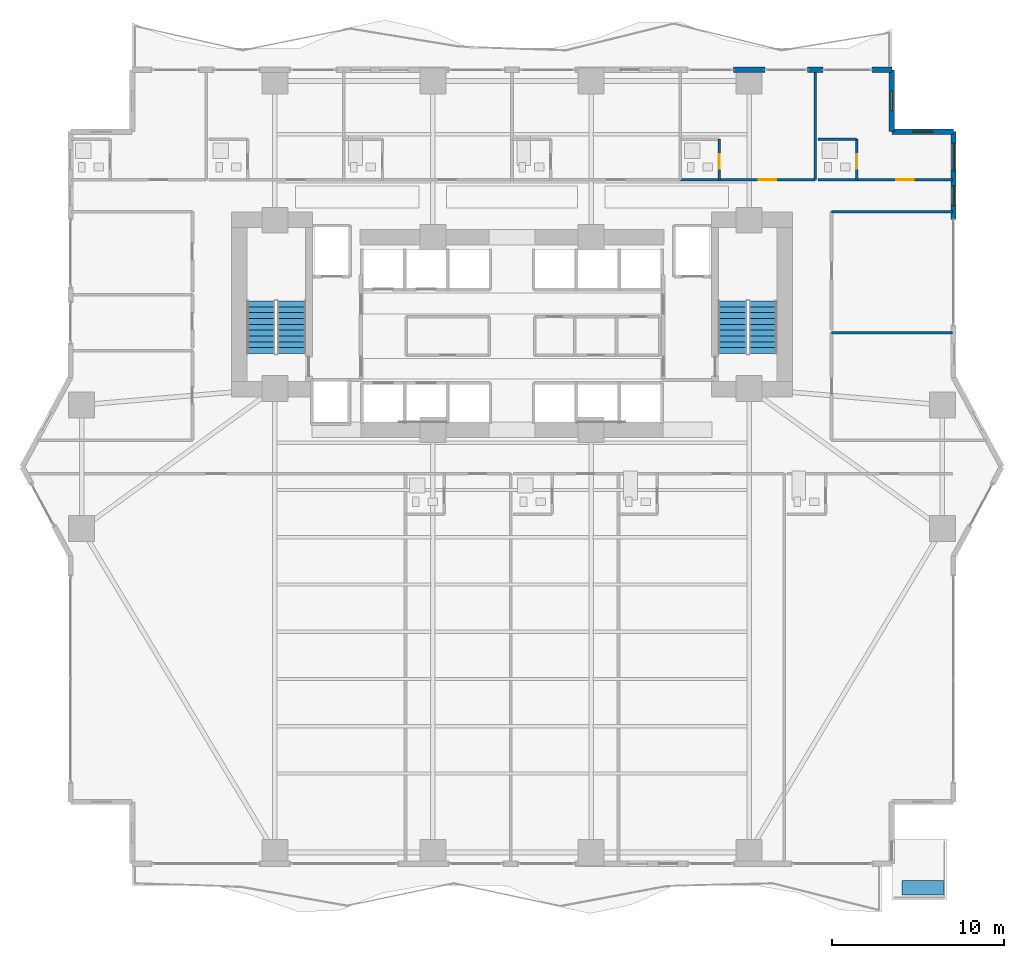
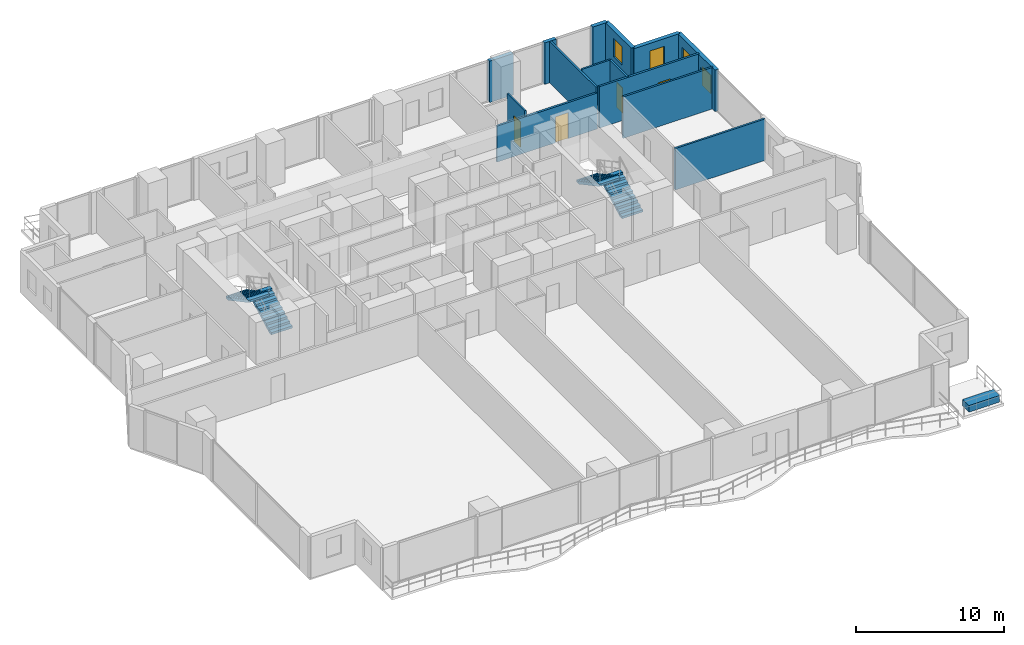
# One storey, part 23 of 30: 14 walls, 4 doors, 4 stair flights, 4 windows, 1 building element part, 8 openings, 2 elements without a shape of their own.
"""IFC4 building model written with IfcOpenShell, lengths in metres."""

from ifc_helpers import new_model, si_unit, direction, frame, frame_2d, origin, origin_2d, place, context, subcontext, project, spatial, polyline, rectangle, outline, extrude, material, layer, layer_set, type_object, element, fill, aggregate, save


model = new_model("IFC4")

# Units and contexts
model_context = context("Model", 3, precision=1e-05, world=origin(), true_north=direction((0.0, 1.0)))
body_context = subcontext(model_context, "Body", "Model", "MODEL_VIEW")
ifc_project = project(units=[si_unit("LENGTHUNIT", "METRE"), si_unit("AREAUNIT", "SQUARE_METRE"), si_unit("VOLUMEUNIT", "CUBIC_METRE"), si_unit("PLANEANGLEUNIT", "RADIAN"), si_unit("MASSUNIT", "GRAM", prefix="KILO")], contexts=[model_context])

# Site, building, storey
site_placement = place(None, origin())
site = spatial("IfcSite", under=ifc_project, at=site_placement, CompositionType="ELEMENT")
building_placement = place(site_placement, origin())
building = spatial("IfcBuilding", under=site, at=building_placement, Name="Zuhayl Quay Hotel", CompositionType="ELEMENT")
storey_placement = place(building_placement, frame((0.0, 0.0, 82.35009765625)))
storey = spatial("IfcBuildingStorey", under=building, at=storey_placement, Name="L20", CompositionType="ELEMENT", Elevation=82.35009765625)

# Walls
ifc_material_1 = material(Name="Precast concrete C45/55", Category="concrete")
ifc_layer_1 = layer(ifc_material_1, 0.300048828125, Name="Precast concrete C45/55", Category="concrete")
ifc_layer_set_1 = layer_set([ifc_layer_1], Name="Precast concrete C45/55")
wall_type_1 = type_object("IfcWallType", Name="WL_EXT_300", PredefinedType="STANDARD", material=ifc_layer_set_1)
wall_1_placement = place(storey_placement, frame((12.8798828125, 23.10009765625, 0.0), z_axis=(0.0, 0.0, 1.0), x_axis=(1.0, 0.0, 0.0)))
element("IfcWall", 1, at=wall_1_placement, inside=storey, type_object=wall_type_1, Name="L20 Exterior Precast Wall ENV_L20_N_EW7", PredefinedType="STANDARD", context=body_context, shape_type="SweptSolid", body=[
    extrude(rectangle(XDim=1.840087890625, YDim=0.300048828125, at=frame_2d((0.919921875, 0.0))), origin(), (0.0, 0.0, 1.0), 3.429931640625),
])
wall_2_placement = place(storey_placement, frame((17.18994140625, 23.10009765625, 0.0), z_axis=(0.0, 0.0, 1.0), x_axis=(1.0, 0.0, 0.0)))
element("IfcWall", 2, at=wall_2_placement, inside=storey, type_object=wall_type_1, Name="L20 Exterior Precast Wall ENV_L20_N_EW8", PredefinedType="STANDARD", context=body_context, shape_type="SweptSolid", body=[
    extrude(rectangle(XDim=0.900146484375, YDim=0.300048828125, at=frame_2d((0.4501953125, 0.0))), origin(), (0.0, 0.0, 1.0), 3.429931640625),
])
wall_3_placement = place(storey_placement, frame((20.949951171875, 23.10009765625, 0.0), z_axis=(0.0, 0.0, 1.0), x_axis=(1.0, 0.0, 0.0)))
element("IfcWall", 3, at=wall_3_placement, inside=storey, type_object=wall_type_1, Name="L20 Exterior Precast Wall ENV_L20_N_EW9", PredefinedType="STANDARD", context=body_context, shape_type="SweptSolid", body=[
    extrude(rectangle(XDim=1.150146484375, YDim=0.300048828125, at=frame_2d((0.5751953125, 0.0))), origin(), (0.0, 0.0, 1.0), 3.429931640625),
])

# Wall, opening, window
wall_4_placement = place(storey_placement, frame((22.10009765625, 23.10009765625, 0.0), z_axis=(0.0, 0.0, 1.0), x_axis=(0.0, -1.0, 0.0)))
wall_4 = element("IfcWall", 4, at=wall_4_placement, inside=storey, type_object=wall_type_1, Name="L20 Exterior Precast Wall ENV_L20_EW09", PredefinedType="STANDARD", context=body_context, shape_type="SweptSolid", body=[
    extrude(rectangle(XDim=3.60009765625, YDim=0.300048828125, at=frame_2d((1.800048828125, 0.0))), origin(), (0.0, 0.0, 1.0), 3.429931640625),
])
opening_1_placement = place(wall_4_placement, frame((1.22509765625, 0.0, 1.25)))
opening_1 = element("IfcOpeningElement", 5, at=opening_1_placement, cuts=wall_4, Name="Opening W01N", PredefinedType="OPENING", context=body_context, shape_type="SweptSolid", body=[
    extrude(rectangle(XDim=1.14990234375, YDim=1.550048828125, at=frame_2d((0.574951171875, 0.77490234375))), frame((0.0, 0.159912109375, 0.0), z_axis=(0.0, -1.0, 0.0), x_axis=(1.0, 0.0, 0.0)), (0.0, 0.0, 1.0), 0.320068359375),
])
ifc_material_2 = material(Name="Dark Ceramic-Fritted Solar Glass", Category="glass")
window_type_1 = type_object("IfcWindowType", Name="WN_NOTCH_1350", PartitioningType="SINGLE_PANEL", PredefinedType="WINDOW", material=ifc_material_2)
window_1_placement = place(opening_1_placement, origin())
window_1 = element("IfcWindow", 6, at=window_1_placement, inside=storey, type_object=window_type_1, Name="L20 Corner Notch Window 9", OverallHeight=1.550048828125, OverallWidth=1.14990234375, PartitioningType="SINGLE_PANEL", PredefinedType="WINDOW", context=body_context, shape_type="SweptSolid", body=[
    extrude(rectangle(XDim=1.14990234375, YDim=1.550048828125, at=frame_2d((0.574951171875, 0.77490234375))), frame((0.0, 0.030029296875, 0.0), z_axis=(0.0, -1.0, 0.0), x_axis=(1.0, 0.0, 0.0)), (0.0, 0.0, 1.0), 0.06005859375),
])
fill(opening_1, window_1)

wall_5_placement = place(storey_placement, frame((22.10009765625, 19.5, 0.0), z_axis=(0.0, 0.0, 1.0), x_axis=(1.0, 0.0, 0.0)))
wall_5 = element("IfcWall", 7, at=wall_5_placement, inside=storey, type_object=wall_type_1, Name="L20 Exterior Precast Wall ENV_L20_EW10", PredefinedType="STANDARD", context=body_context, shape_type="SweptSolid", body=[
    extrude(rectangle(XDim=3.599853515625, YDim=0.300048828125, at=frame_2d((1.7998046875, 0.0))), origin(), (0.0, 0.0, 1.0), 3.429931640625),
])
opening_2_placement = place(wall_5_placement, frame((1.22509765625, 0.0, 1.25)))
opening_2 = element("IfcOpeningElement", 8, at=opening_2_placement, cuts=wall_5, Name="Opening W01N", PredefinedType="OPENING", context=body_context, shape_type="SweptSolid", body=[
    extrude(rectangle(XDim=1.14990234375, YDim=1.550048828125, at=frame_2d((0.574951171875, 0.77490234375))), frame((0.0, 0.159912109375, 0.0), z_axis=(0.0, -1.0, 0.0), x_axis=(1.0, 0.0, 0.0)), (0.0, 0.0, 1.0), 0.320068359375),
])
window_2_placement = place(opening_2_placement, origin())
window_2 = element("IfcWindow", 9, at=window_2_placement, inside=storey, type_object=window_type_1, Name="L20 Corner Notch Window 10", OverallHeight=1.550048828125, OverallWidth=1.14990234375, PartitioningType="SINGLE_PANEL", PredefinedType="WINDOW", context=body_context, shape_type="SweptSolid", body=[
    extrude(rectangle(XDim=1.14990234375, YDim=1.550048828125, at=frame_2d((0.574951171875, 0.77490234375))), frame((0.0, 0.030029296875, 0.0), z_axis=(0.0, -1.0, 0.0), x_axis=(1.0, 0.0, 0.0)), (0.0, 0.0, 1.0), 0.06005859375),
])
fill(opening_2, window_2)

# Wall, openings, windows
wall_6_placement = place(storey_placement, frame((25.699951171875, 19.5, 0.0), z_axis=(0.0, 0.0, 1.0), x_axis=(0.0, -1.0, 0.0)))
wall_6 = element("IfcWall", 10, at=wall_6_placement, inside=storey, type_object=wall_type_1, Name="L20 Exterior Precast Wall ENV_L20_E11_EW1", PredefinedType="STANDARD", context=body_context, shape_type="SweptSolid", body=[
    extrude(rectangle(XDim=5.10009765625, YDim=0.300048828125, at=frame_2d((2.550048828125, 0.0))), origin(), (0.0, 0.0, 1.0), 3.429931640625),
])
opening_3_placement = place(wall_6_placement, frame((0.659912109375, 0.0, 0.85009765625)))
opening_3 = element("IfcOpeningElement", 11, at=opening_3_placement, cuts=wall_6, Name="Opening W01", PredefinedType="OPENING", context=body_context, shape_type="SweptSolid", body=[
    extrude(rectangle(XDim=1.60009765625, YDim=1.800048828125, at=frame_2d((0.800048828125, 0.89990234375))), frame((0.0, 0.159912109375, 0.0), z_axis=(0.0, -1.0, 0.0), x_axis=(1.0, 0.0, 0.0)), (0.0, 0.0, 1.0), 0.320068359375),
])
opening_4_placement = place(wall_6_placement, frame((3.14990234375, 0.0, 0.949951171875)))
opening_4 = element("IfcOpeningElement", 12, at=opening_4_placement, cuts=wall_6, Name="Opening W01N", PredefinedType="OPENING", context=body_context, shape_type="SweptSolid", body=[
    extrude(rectangle(XDim=1.14990234375, YDim=1.550048828125, at=frame_2d((0.574951171875, 0.77490234375))), frame((0.0, 0.159912109375, 0.0), z_axis=(0.0, -1.0, 0.0), x_axis=(1.0, 0.0, 0.0)), (0.0, 0.0, 1.0), 0.320068359375),
])
window_3_placement = place(opening_4_placement, origin())
window_3 = element("IfcWindow", 13, at=window_3_placement, inside=storey, type_object=window_type_1, Name="L20 Operable Facade Window 1-2", OverallHeight=1.550048828125, OverallWidth=1.14990234375, PartitioningType="SINGLE_PANEL", PredefinedType="WINDOW", context=body_context, shape_type="SweptSolid", body=[
    extrude(rectangle(XDim=1.14990234375, YDim=1.550048828125, at=frame_2d((0.574951171875, 0.77490234375))), frame((0.0, 0.030029296875, 0.0), z_axis=(0.0, -1.0, 0.0), x_axis=(1.0, 0.0, 0.0)), (0.0, 0.0, 1.0), 0.06005859375),
])
fill(opening_4, window_3)
window_type_2 = type_object("IfcWindowType", Name="WN_OPERABLE_1600", PartitioningType="DOUBLE_PANEL_VERTICAL", PredefinedType="WINDOW", material=ifc_material_2)
window_4_placement = place(opening_3_placement, origin())
window_4 = element("IfcWindow", 14, at=window_4_placement, inside=storey, type_object=window_type_2, Name="L20 Operable Facade Window 1-1", OverallHeight=1.800048828125, OverallWidth=1.60009765625, PartitioningType="SINGLE_PANEL", PredefinedType="WINDOW", context=body_context, shape_type="SweptSolid", body=[
    extrude(rectangle(XDim=1.60009765625, YDim=1.800048828125, at=frame_2d((0.800048828125, 0.89990234375))), frame((0.0, 0.030029296875, 0.0), z_axis=(0.0, -1.0, 0.0), x_axis=(1.0, 0.0, 0.0)), (0.0, 0.0, 1.0), 0.06005859375),
])
fill(opening_3, window_4)

# Walls
ifc_material_3 = material(Name="Acoustic Gypsum Partition STC-58")
ifc_layer_2 = layer(ifc_material_3, 0.14990234375, Name="Acoustic Gypsum Partition STC-58")
ifc_layer_set_2 = layer_set([ifc_layer_2], Name="Acoustic Gypsum Partition STC-58")
wall_type_2 = type_object("IfcWallType", Name="WL_PART_150", PredefinedType="PARTITIONING", material=ifc_layer_set_2)
wall_7_placement = place(storey_placement, frame((17.639892578125, 16.699951171875, 0.0), z_axis=(0.0, 0.0, 1.0), x_axis=(0.0, 1.0, 0.0)))
element("IfcWall", 15, at=wall_7_placement, inside=storey, type_object=wall_type_2, Name="L20 Partition IW_L20_NU04A_E", PredefinedType="PARTITIONING", context=body_context, shape_type="SweptSolid", body=[
    extrude(rectangle(XDim=6.320068359375, YDim=0.14990234375, at=frame_2d((3.16015625, 0.0))), origin(), (0.0, 0.0, 1.0), 3.429931640625),
])
for number, where, z_axis, x_axis, name in (
    (16, (18.60009765625, 7.800048828125, 0.0), (0.0, 0.0, 1.0), (1.0, 0.0, 0.0), "L20 Partition IW_L20_HK_MAIN_N"),
    (17, (18.60009765625, 14.85009765625, 0.0), (0.0, 0.0, 1.0), (1.0, 0.0, 0.0), "L20 Partition IW_L20_EFLK_2_N"),
):
    element("IfcWall", number, at=place(storey_placement, frame(where, z_axis=z_axis, x_axis=x_axis)), inside=storey, type_object=wall_type_2, Name=name, PredefinedType="PARTITIONING", context=body_context, shape_type="SweptSolid", body=[
        extrude(rectangle(XDim=7.039794921875, YDim=0.14990234375, at=frame_2d((3.52001953125, 0.0))), origin(), (0.0, 0.0, 1.0), 3.429931640625),
    ])

# Wall, opening, door
ifc_layer_3 = layer(ifc_material_3, 0.159912109375, Name="Acoustic Gypsum Partition STC-58")
ifc_layer_set_3 = layer_set([ifc_layer_3], Name="Acoustic Gypsum Partition STC-58")
wall_type_3 = type_object("IfcWallType", Name="WL_PART_CORR_160", PredefinedType="PARTITIONING", material=ifc_layer_set_3)
wall_8_placement = place(storey_placement, frame((9.800048828125, 16.699951171875, 0.0), z_axis=(0.0, 0.0, 1.0), x_axis=(1.0, 0.0, 0.0)))
wall_8 = element("IfcWall", 18, at=wall_8_placement, inside=storey, type_object=wall_type_3, Name="L20 Partition IW_L20_NU04A_COR", PredefinedType="PARTITIONING", context=body_context, shape_type="SweptSolid", body=[
    extrude(rectangle(XDim=7.83984375, YDim=0.159912109375, at=frame_2d((3.919921875, 0.0))), origin(), (0.0, 0.0, 1.0), 2.972900390625),
])
opening_5_placement = place(wall_8_placement, frame((4.570068359375, 0.0, 0.0)))
opening_5 = element("IfcOpeningElement", 19, at=opening_5_placement, cuts=wall_8, Name="Opening D03L", PredefinedType="OPENING", context=body_context, shape_type="SweptSolid", body=[
    extrude(rectangle(XDim=1.0, YDim=2.14990234375, at=frame_2d((0.5, 1.074951171875))), frame((0.0, 0.08984375, 0.0), z_axis=(0.0, -1.0, 0.0), x_axis=(1.0, 0.0, 0.0)), (0.0, 0.0, 1.0), 0.179931640625),
])
ifc_material_4 = material(Name="Solid Walnut Acoustic Fire Door")
door_type_1 = type_object("IfcDoorType", Name="DR_SUITE_1000", OperationType="NOTDEFINED", PredefinedType="DOOR", material=ifc_material_4)
door_1_placement = place(opening_5_placement, origin())
door_1 = element("IfcDoor", 20, at=door_1_placement, inside=storey, type_object=door_type_1, Name="L20 Deluxe Gulf Guest Room L20-04A Entrance Door", OperationType="SINGLE_SWING_RIGHT", OverallHeight=2.14990234375, OverallWidth=1.0, PredefinedType="DOOR", context=body_context, shape_type="SweptSolid", body=[
    extrude(rectangle(XDim=1.0, YDim=2.14990234375, at=frame_2d((0.5, 1.074951171875))), frame((0.0, 0.02490234375, 0.0), z_axis=(0.0, -1.0, 0.0), x_axis=(1.0, 0.0, 0.0)), (0.0, 0.0, 1.0), 0.050048828125),
])
fill(opening_5, door_1)

wall_9_placement = place(storey_placement, frame((17.800048828125, 16.699951171875, 0.0), z_axis=(0.0, 0.0, 1.0), x_axis=(1.0, 0.0, 0.0)))
wall_9 = element("IfcWall", 21, at=wall_9_placement, inside=storey, type_object=wall_type_3, Name="L20 Partition IW_L20_NU04B_COR", PredefinedType="PARTITIONING", context=body_context, shape_type="SweptSolid", body=[
    extrude(rectangle(XDim=7.83984375, YDim=0.159912109375, at=frame_2d((3.919921875, 0.0))), origin(), (0.0, 0.0, 1.0), 3.429931640625),
])
opening_6_placement = place(wall_9_placement, frame((4.570068359375, 0.0, 0.0)))
opening_6 = element("IfcOpeningElement", 22, at=opening_6_placement, cuts=wall_9, Name="Opening D03L", PredefinedType="OPENING", context=body_context, shape_type="SweptSolid", body=[
    extrude(rectangle(XDim=1.0, YDim=2.14990234375, at=frame_2d((0.5, 1.074951171875))), frame((0.0, 0.08984375, 0.0), z_axis=(0.0, -1.0, 0.0), x_axis=(1.0, 0.0, 0.0)), (0.0, 0.0, 1.0), 0.179931640625),
])
door_2_placement = place(opening_6_placement, origin())
door_2 = element("IfcDoor", 23, at=door_2_placement, inside=storey, type_object=door_type_1, Name="L20 Deluxe Gulf Guest Room L20-04B Entrance Door", OperationType="SINGLE_SWING_RIGHT", OverallHeight=2.14990234375, OverallWidth=1.0, PredefinedType="DOOR", context=body_context, shape_type="SweptSolid", body=[
    extrude(rectangle(XDim=1.0, YDim=2.14990234375, at=frame_2d((0.5, 1.074951171875))), frame((0.0, 0.02490234375, 0.0), z_axis=(0.0, -1.0, 0.0), x_axis=(1.0, 0.0, 0.0)), (0.0, 0.0, 1.0), 0.050048828125),
])
fill(opening_6, door_2)

ifc_material_5 = material(Name="Moisture-Resistant Sanitarychase Gypsum")
ifc_layer_4 = layer(ifc_material_5, 0.135009765625, Name="Moisture-Resistant Sanitarychase Gypsum")
ifc_layer_set_4 = layer_set([ifc_layer_4], Name="Moisture-Resistant Sanitarychase Gypsum")
wall_type_4 = type_object("IfcWallType", Name="WL_PART_PLUMB_150", PredefinedType="PLUMBINGWALL", material=ifc_layer_set_4)
wall_10_placement = place(storey_placement, frame((12.06005859375, 16.699951171875, 0.0), z_axis=(0.0, 0.0, 1.0), x_axis=(0.0, 1.0, 0.0)))
wall_10 = element("IfcWall", 24, at=wall_10_placement, inside=storey, type_object=wall_type_4, Name="L20 Partition IW_L20_NU04A_BE", PredefinedType="PLUMBINGWALL", context=body_context, shape_type="SweptSolid", body=[
    extrude(rectangle(XDim=2.360107421875, YDim=0.135009765625, at=frame_2d((1.18017578125, 0.0))), origin(), (0.0, 0.0, 1.0), 3.429931640625),
])
opening_7_placement = place(wall_10_placement, frame((0.64990234375, 0.0, 0.0)))
opening_7 = element("IfcOpeningElement", 25, at=opening_7_placement, cuts=wall_10, Name="Opening D04", PredefinedType="OPENING", context=body_context, shape_type="SweptSolid", body=[
    extrude(rectangle(XDim=0.85009765625, YDim=2.10009765625, at=frame_2d((0.425048828125, 1.050048828125))), frame((0.0, 0.077392578125, 0.0), z_axis=(0.0, -1.0, 0.0), x_axis=(1.0, 0.0, 0.0)), (0.0, 0.0, 1.0), 0.155029296875),
])
ifc_material_6 = material(Name="Moisture-Resistant Walnut Veneer")
door_type_2 = type_object("IfcDoorType", Name="DR_BATH_850", OperationType="NOTDEFINED", PredefinedType="DOOR", material=ifc_material_6)
door_3_placement = place(opening_7_placement, origin())
door_3 = element("IfcDoor", 26, at=door_3_placement, inside=storey, type_object=door_type_2, Name="L20 Deluxe Gulf Guest Room L20-04A En-Suite Door", OperationType="SINGLE_SWING_LEFT", OverallHeight=2.10009765625, OverallWidth=0.85009765625, PredefinedType="DOOR", context=body_context, shape_type="SweptSolid", body=[
    extrude(rectangle(XDim=0.85009765625, YDim=2.10009765625, at=frame_2d((0.425048828125, 1.050048828125))), frame((0.0, 0.02490234375, 0.0), z_axis=(0.0, -1.0, 0.0), x_axis=(1.0, 0.0, 0.0)), (0.0, 0.0, 1.0), 0.050048828125),
])
fill(opening_7, door_3)

wall_11_placement = place(storey_placement, frame((20.06005859375, 16.699951171875, 0.0), z_axis=(0.0, 0.0, 1.0), x_axis=(0.0, 1.0, 0.0)))
wall_11 = element("IfcWall", 27, at=wall_11_placement, inside=storey, type_object=wall_type_4, Name="L20 Partition IW_L20_NU04B_BE", PredefinedType="PLUMBINGWALL", context=body_context, shape_type="SweptSolid", body=[
    extrude(rectangle(XDim=2.360107421875, YDim=0.135009765625, at=frame_2d((1.18017578125, 0.0))), origin(), (0.0, 0.0, 1.0), 3.429931640625),
])
opening_8_placement = place(wall_11_placement, frame((0.64990234375, 0.0, 0.0)))
opening_8 = element("IfcOpeningElement", 28, at=opening_8_placement, cuts=wall_11, Name="Opening D04", PredefinedType="OPENING", context=body_context, shape_type="SweptSolid", body=[
    extrude(rectangle(XDim=0.85009765625, YDim=2.10009765625, at=frame_2d((0.425048828125, 1.050048828125))), frame((0.0, 0.077392578125, 0.0), z_axis=(0.0, -1.0, 0.0), x_axis=(1.0, 0.0, 0.0)), (0.0, 0.0, 1.0), 0.155029296875),
])
door_4_placement = place(opening_8_placement, origin())
door_4 = element("IfcDoor", 29, at=door_4_placement, inside=storey, type_object=door_type_2, Name="L20 Deluxe Gulf Guest Room L20-04B En-Suite Door", OperationType="SINGLE_SWING_LEFT", OverallHeight=2.10009765625, OverallWidth=0.85009765625, PredefinedType="DOOR", context=body_context, shape_type="SweptSolid", body=[
    extrude(rectangle(XDim=0.85009765625, YDim=2.10009765625, at=frame_2d((0.425048828125, 1.050048828125))), frame((0.0, 0.02490234375, 0.0), z_axis=(0.0, -1.0, 0.0), x_axis=(1.0, 0.0, 0.0)), (0.0, 0.0, 1.0), 0.050048828125),
])
fill(opening_8, door_4)

# Wall
wall_12_placement = place(storey_placement, frame((17.800048828125, 19.06005859375, 0.0), z_axis=(0.0, 0.0, 1.0), x_axis=(1.0, 0.0, 0.0)))
element("IfcWall", 30, at=wall_12_placement, inside=storey, type_object=wall_type_4, Name="L20 Partition IW_L20_NU04B_BN", PredefinedType="PLUMBINGWALL", context=body_context, shape_type="SweptSolid", body=[
    extrude(rectangle(XDim=2.260009765625, YDim=0.135009765625, at=frame_2d((1.1298828125, 0.0))), origin(), (0.0, 0.0, 1.0), 3.429931640625),
])

# Stair, stair flights
ifc_material_7 = material(Name="Concrete C45/55", Category="concrete")
stair_type = type_object("IfcStairType", Name="ST_DOGLEG_TOWER", PredefinedType="HALF_TURN_STAIR", material=ifc_material_7)
stair_1_placement = place(storey_placement, origin())
stair_1 = element("IfcStair", 31, at=stair_1_placement, inside=storey, type_object=stair_type, Name="L20 Smokeproof Exit Stair ST1", PredefinedType="HALF_TURN_STAIR")
ifc_layer_5 = layer(ifc_material_7, 0.159912109375, Name="Concrete C45/55", Category="concrete")
ifc_layer_set_5 = layer_set([ifc_layer_5], Name="Concrete C45/55")
stair_flight_type = type_object("IfcStairFlightType", Name="SF_CONC_164", PredefinedType="STRAIGHT", material=ifc_layer_set_5)
stair_flight_1_placement = place(storey_placement, frame((-12.820068359375, 6.590087890625, 0.0), z_axis=(0.0, 0.0, 1.0), x_axis=(0.0, 1.0, 0.0)))
stair_flight_1 = element("IfcStairFlight", 32, at=stair_flight_1_placement, type_object=stair_flight_type, Name="ST1 flight 1", NumberOfRisers=10, NumberOfTreads=9, PredefinedType="STRAIGHT", RiserHeight=0.1825, TreadLength=0.34, context=body_context, shape_type="SweptSolid", body=[
    extrude(outline(polyline([(0.0, 0.0), (0.0, 0.1826171875), (0.340087890625, 0.1826171875), (0.340087890625, 0.364990234375), (0.679931640625, 0.364990234375), (0.679931640625, 0.547607421875), (1.02001953125, 0.547607421875), (1.02001953125, 0.72998046875), (1.360107421875, 0.72998046875), (1.360107421875, 0.91259765625), (1.699951171875, 0.91259765625), (1.699951171875, 1.094970703125), (2.0400390625, 1.094970703125), (2.0400390625, 1.277587890625), (2.3798828125, 1.277587890625), (2.3798828125, 1.4599609375), (2.719970703125, 1.4599609375), (2.719970703125, 1.642578125), (3.06005859375, 1.642578125), (3.06005859375, 1.824951171875), (3.06005859375, 1.472412109375), (0.31689453125, 0.0), (0.0, 0.0)])), frame((0.0, 0.81982421875, 0.0), z_axis=(0.0, -1.0, 0.0), x_axis=(1.0, 0.0, 0.0)), (0.0, 0.0, 1.0), 1.639892578125),
])
stair_flight_2_placement = place(storey_placement, frame((-14.610107421875, 9.64990234375, 1.824951171875), z_axis=(0.0, 0.0, 1.0), x_axis=(0.0, -1.0, 0.0)))
stair_flight_2 = element("IfcStairFlight", 33, at=stair_flight_2_placement, type_object=stair_flight_type, Name="ST1 flight 2", NumberOfRisers=10, NumberOfTreads=9, PredefinedType="STRAIGHT", RiserHeight=0.1825, TreadLength=0.34, context=body_context, shape_type="SweptSolid", body=[
    extrude(outline(polyline([(0.0, 0.0), (0.0, 0.1826171875), (0.340087890625, 0.1826171875), (0.340087890625, 0.364990234375), (0.679931640625, 0.364990234375), (0.679931640625, 0.547607421875), (1.02001953125, 0.547607421875), (1.02001953125, 0.72998046875), (1.360107421875, 0.72998046875), (1.360107421875, 0.91259765625), (1.699951171875, 0.91259765625), (1.699951171875, 1.094970703125), (2.0400390625, 1.094970703125), (2.0400390625, 1.277587890625), (2.3798828125, 1.277587890625), (2.3798828125, 1.4599609375), (2.719970703125, 1.4599609375), (2.719970703125, 1.642578125), (3.06005859375, 1.642578125), (3.06005859375, 1.824951171875), (3.06005859375, 1.472412109375), (0.31689453125, 0.0), (0.0, 0.0)])), frame((0.0, 0.81982421875, 0.0), z_axis=(0.0, -1.0, 0.0), x_axis=(1.0, 0.0, 0.0)), (0.0, 0.0, 1.0), 1.639892578125),
])
aggregate(stair_1, [stair_flight_1, stair_flight_2])

stair_2_placement = place(storey_placement, origin())
stair_2 = element("IfcStair", 34, at=stair_2_placement, inside=storey, type_object=stair_type, Name="L20 Smokeproof Exit Stair ST2", PredefinedType="HALF_TURN_STAIR")
stair_flight_3_placement = place(storey_placement, frame((14.610107421875, 6.590087890625, 0.0), z_axis=(0.0, 0.0, 1.0), x_axis=(0.0, 1.0, 0.0)))
stair_flight_3 = element("IfcStairFlight", 35, at=stair_flight_3_placement, type_object=stair_flight_type, Name="ST2 flight 1", NumberOfRisers=10, NumberOfTreads=9, PredefinedType="STRAIGHT", RiserHeight=0.1825, TreadLength=0.34, context=body_context, shape_type="SweptSolid", body=[
    extrude(outline(polyline([(0.0, 0.0), (0.0, 0.1826171875), (0.340087890625, 0.1826171875), (0.340087890625, 0.364990234375), (0.679931640625, 0.364990234375), (0.679931640625, 0.547607421875), (1.02001953125, 0.547607421875), (1.02001953125, 0.72998046875), (1.360107421875, 0.72998046875), (1.360107421875, 0.91259765625), (1.699951171875, 0.91259765625), (1.699951171875, 1.094970703125), (2.0400390625, 1.094970703125), (2.0400390625, 1.277587890625), (2.3798828125, 1.277587890625), (2.3798828125, 1.4599609375), (2.719970703125, 1.4599609375), (2.719970703125, 1.642578125), (3.06005859375, 1.642578125), (3.06005859375, 1.824951171875), (3.06005859375, 1.472412109375), (0.31689453125, 0.0), (0.0, 0.0)])), frame((0.0, 0.81982421875, 0.0), z_axis=(0.0, -1.0, 0.0), x_axis=(1.0, 0.0, 0.0)), (0.0, 0.0, 1.0), 1.639892578125),
])
stair_flight_4_placement = place(storey_placement, frame((12.820068359375, 9.64990234375, 1.824951171875), z_axis=(0.0, 0.0, 1.0), x_axis=(0.0, -1.0, 0.0)))
stair_flight_4 = element("IfcStairFlight", 36, at=stair_flight_4_placement, type_object=stair_flight_type, Name="ST2 flight 2", NumberOfRisers=10, NumberOfTreads=9, PredefinedType="STRAIGHT", RiserHeight=0.1825, TreadLength=0.34, context=body_context, shape_type="SweptSolid", body=[
    extrude(outline(polyline([(0.0, 0.0), (0.0, 0.1826171875), (0.340087890625, 0.1826171875), (0.340087890625, 0.364990234375), (0.679931640625, 0.364990234375), (0.679931640625, 0.547607421875), (1.02001953125, 0.547607421875), (1.02001953125, 0.72998046875), (1.360107421875, 0.72998046875), (1.360107421875, 0.91259765625), (1.699951171875, 0.91259765625), (1.699951171875, 1.094970703125), (2.0400390625, 1.094970703125), (2.0400390625, 1.277587890625), (2.3798828125, 1.277587890625), (2.3798828125, 1.4599609375), (2.719970703125, 1.4599609375), (2.719970703125, 1.642578125), (3.06005859375, 1.642578125), (3.06005859375, 1.824951171875), (3.06005859375, 1.472412109375), (0.31689453125, 0.0), (0.0, 0.0)])), frame((0.0, 0.81982421875, 0.0), z_axis=(0.0, -1.0, 0.0), x_axis=(1.0, 0.0, 0.0)), (0.0, 0.0, 1.0), 1.639892578125),
])
aggregate(stair_2, [stair_flight_3, stair_flight_4])

# Building element part
ifc_layer_6 = layer(ifc_material_1, 0.550048828125, Name="Precast concrete C45/55", Category="concrete")
ifc_layer_set_6 = layer_set([ifc_layer_6], Name="Precast concrete C45/55")
building_element_part_type = type_object("IfcBuildingElementPartType", Name="PT_PLANTER_KERB", PredefinedType="PRECASTPANEL", material=ifc_layer_set_6)
building_element_part_placement = place(storey_placement, frame((23.909912109375, -24.510009765625, 0.0), z_axis=(0.0, 0.0, 1.0), x_axis=(1.0, 0.0, 0.0)))
element("IfcBuildingElementPart", 37, at=building_element_part_placement, inside=storey, type_object=building_element_part_type, Name="L20 Spiral Sky-Terrace Planter Box SE", PredefinedType="PRECASTPANEL", context=body_context, shape_type="SweptSolid", body=[
    extrude(rectangle(XDim=2.39990234375, YDim=0.85009765625, at=origin_2d()), origin(), (0.0, 0.0, 1.0), 0.550048828125),
])

save(model, "model.ifc")
